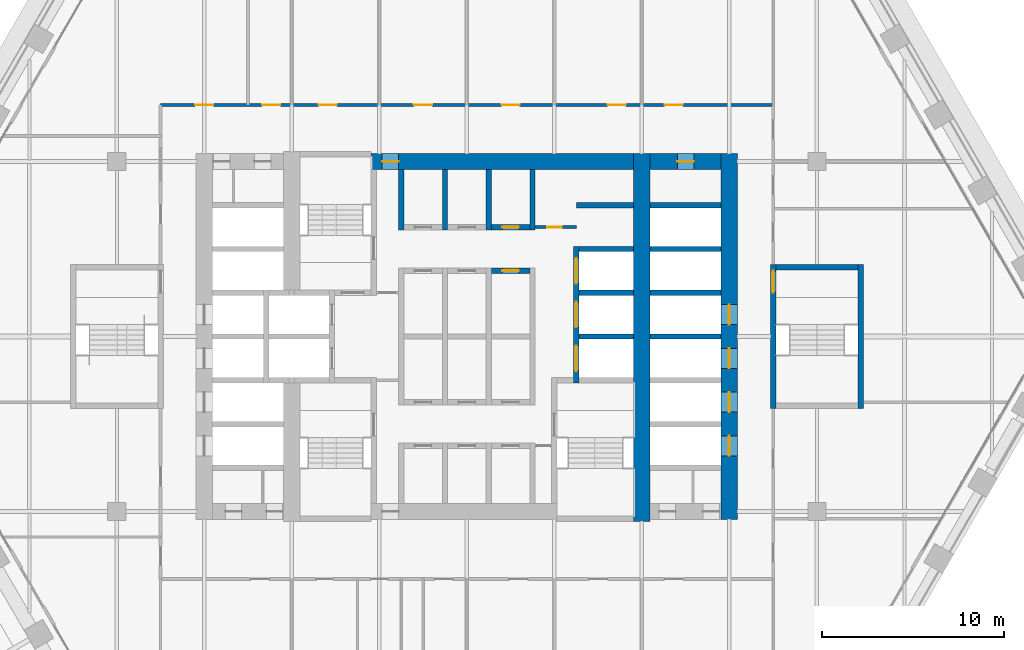
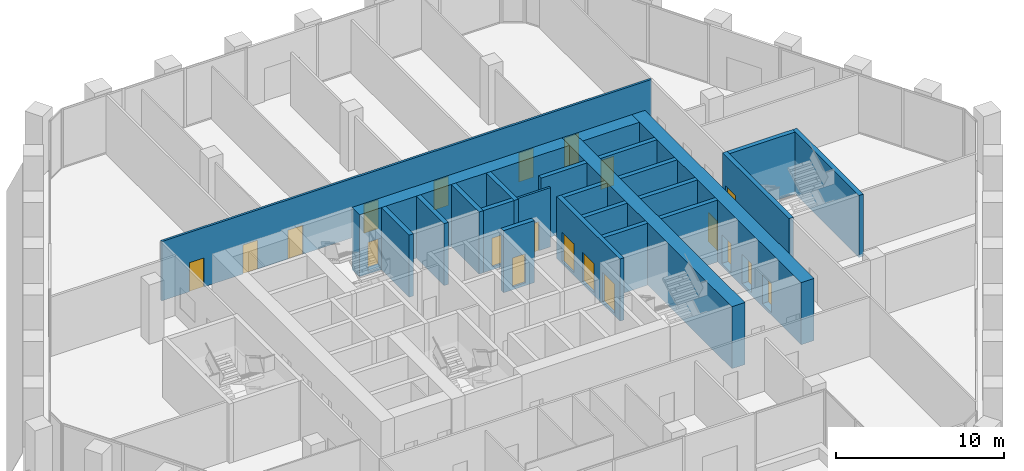
# One storey, part 19 of 27: 24 walls, 20 doors, 20 openings.
"""IFC4 building model written with IfcOpenShell, lengths in metres."""

from ifc_helpers import new_model, si_unit, direction, frame, frame_2d, origin, place, context, subcontext, project, spatial, rectangle, extrude, material, layer, layer_set, type_object, element, fill, save


model = new_model("IFC4")

# Units and contexts
model_context = context("Model", 3, precision=1e-05, world=origin(), true_north=direction((0.0, 1.0)))
body_context = subcontext(model_context, "Body", "Model", "MODEL_VIEW")
ifc_project = project(units=[si_unit("LENGTHUNIT", "METRE"), si_unit("AREAUNIT", "SQUARE_METRE"), si_unit("VOLUMEUNIT", "CUBIC_METRE"), si_unit("PLANEANGLEUNIT", "RADIAN"), si_unit("MASSUNIT", "GRAM", prefix="KILO")], contexts=[model_context])

# Site, building, storey
site_placement = place(None, origin())
site = spatial("IfcSite", under=ifc_project, at=site_placement, CompositionType="ELEMENT")
building_placement = place(site_placement, origin())
building = spatial("IfcBuilding", under=site, at=building_placement, Name="Kolab Exchange Tower", CompositionType="ELEMENT")
storey_placement = place(building_placement, frame((0.0, 0.0, 109.39990234375)))
storey = spatial("IfcBuildingStorey", under=building, at=storey_placement, Name="L21", CompositionType="ELEMENT", Elevation=109.39990234375)

# Wall, opening, door
ifc_material_1 = material(Name="Concrete C70/85", Category="concrete")
ifc_layer_1 = layer(ifc_material_1, 0.89990234375)
ifc_layer_set_1 = layer_set([ifc_layer_1], Name="Concrete C70/85")
wall_type_1 = type_object("IfcWallType", Name="CORE WALL 900 C70/85", PredefinedType="SHEAR", material=ifc_layer_set_1)
wall_1_placement = place(storey_placement, frame((-5.25, 9.60009765625, -0.199951171875), z_axis=(0.0, 0.0, 1.0), x_axis=(1.0, 0.0, 0.0)))
wall_1 = element("IfcWall", 1, at=wall_1_placement, inside=storey, type_object=wall_type_1, Name="wall/L21/core/052", PredefinedType="SHEAR", context=body_context, shape_type="SweptSolid", body=[
    extrude(rectangle(XDim=14.39990234375, YDim=0.89990234375, at=frame_2d((7.199951171875, 0.0))), origin(), (0.0, 0.0, 1.0), 4.5),
])
opening_1_placement = place(wall_1_placement, frame((0.60009765625, 0.0, 0.199951171875)))
opening_1 = element("IfcOpeningElement", 2, at=opening_1_placement, cuts=wall_1, Name="Opening D6-225", PredefinedType="OPENING", context=body_context, shape_type="SweptSolid", body=[
    extrude(rectangle(XDim=0.89990234375, YDim=2.10009765625, at=frame_2d((0.449951171875, 1.050048828125))), frame((0.0, 0.4599609375, 0.0), z_axis=(0.0, -1.0, 0.0), x_axis=(1.0, 0.0, 0.0)), (0.0, 0.0, 1.0), 0.919921875),
])
ifc_material_2 = material(Name="Steel S235", Category="steel")
door_type_1 = type_object("IfcDoorType", Name="CORE DOOR 900 EI 120", OperationType="SINGLE_SWING_LEFT", PredefinedType="DOOR", material=ifc_material_2)
door_1_placement = place(opening_1_placement, frame((0.89990234375, 0.0, 0.0), z_axis=(0.0, 0.0, 1.0), x_axis=(-1.0, 0.0, 0.0)))
door_1 = element("IfcDoor", 3, at=door_1_placement, inside=storey, type_object=door_type_1, Name="Core lobby door", OperationType="SINGLE_SWING_RIGHT", OverallHeight=2.10009765625, OverallWidth=0.89990234375, PredefinedType="DOOR", context=body_context, shape_type="SweptSolid", body=[
    extrude(rectangle(XDim=0.89990234375, YDim=2.10009765625, at=frame_2d((0.449951171875, 1.050048828125))), frame((0.0, 0.02490234375, 0.0), z_axis=(0.0, -1.0, 0.0), x_axis=(1.0, 0.0, 0.0)), (0.0, 0.0, 1.0), 0.050048828125),
])
fill(opening_1, door_1)

wall_2_placement = place(storey_placement, frame((10.050048828125, 9.60009765625, -0.199951171875), z_axis=(0.0, 0.0, 1.0), x_axis=(1.0, 0.0, 0.0)))
wall_2 = element("IfcWall", 4, at=wall_2_placement, inside=storey, type_object=wall_type_1, Name="wall/L21/core/053", PredefinedType="SHEAR", context=body_context, shape_type="SweptSolid", body=[
    extrude(rectangle(XDim=3.89990234375, YDim=0.89990234375, at=frame_2d((1.949951171875, 0.0))), origin(), (0.0, 0.0, 1.0), 4.5),
])
opening_2_placement = place(wall_2_placement, frame((1.5, 0.0, 0.199951171875)))
opening_2 = element("IfcOpeningElement", 5, at=opening_2_placement, cuts=wall_2, Name="Opening D6-212", PredefinedType="OPENING", context=body_context, shape_type="SweptSolid", body=[
    extrude(rectangle(XDim=0.89990234375, YDim=2.10009765625, at=frame_2d((0.449951171875, 1.050048828125))), frame((0.0, 0.4599609375, 0.0), z_axis=(0.0, -1.0, 0.0), x_axis=(1.0, 0.0, 0.0)), (0.0, 0.0, 1.0), 0.919921875),
])
door_2_placement = place(opening_2_placement, frame((0.89990234375, 0.0, 0.0), z_axis=(0.0, 0.0, 1.0), x_axis=(-1.0, 0.0, 0.0)))
door_2 = element("IfcDoor", 6, at=door_2_placement, inside=storey, type_object=door_type_1, Name="Service room door", OperationType="SINGLE_SWING_LEFT", OverallHeight=2.10009765625, OverallWidth=0.89990234375, PredefinedType="DOOR", context=body_context, shape_type="SweptSolid", body=[
    extrude(rectangle(XDim=0.89990234375, YDim=2.10009765625, at=frame_2d((0.449951171875, 1.050048828125))), frame((0.0, 0.02490234375, 0.0), z_axis=(0.0, -1.0, 0.0), x_axis=(1.0, 0.0, 0.0)), (0.0, 0.0, 1.0), 0.050048828125),
])
fill(opening_2, door_2)

# Wall
wall_3_placement = place(storey_placement, frame((9.60009765625, -10.14990234375, -0.199951171875), z_axis=(0.0, 0.0, 1.0), x_axis=(0.0, 1.0, 0.0)))
element("IfcWall", 7, at=wall_3_placement, inside=storey, type_object=wall_type_1, Name="wall/L21/core/080", PredefinedType="SHEAR", context=body_context, shape_type="SweptSolid", body=[
    extrude(rectangle(XDim=20.199951171875, YDim=0.89990234375, at=frame_2d((10.10009765625, 0.0))), origin(), (0.0, 0.0, 1.0), 4.5),
])

# Wall, openings, doors
wall_4_placement = place(storey_placement, frame((14.39990234375, -10.050048828125, -0.199951171875), z_axis=(0.0, 0.0, 1.0), x_axis=(0.0, 1.0, 0.0)))
wall_4 = element("IfcWall", 8, at=wall_4_placement, inside=storey, type_object=wall_type_1, Name="wall/L21/core/081", PredefinedType="SHEAR", context=body_context, shape_type="SweptSolid", body=[
    extrude(rectangle(XDim=20.10009765625, YDim=0.89990234375, at=frame_2d((10.050048828125, 0.0))), origin(), (0.0, 0.0, 1.0), 4.5),
])
opening_3_placement = place(wall_4_placement, frame((3.5, 0.0, 0.199951171875)))
opening_3 = element("IfcOpeningElement", 9, at=opening_3_placement, cuts=wall_4, Name="Opening LD1-069", PredefinedType="OPENING", context=body_context, shape_type="SweptSolid", body=[
    extrude(rectangle(XDim=1.10009765625, YDim=2.10009765625, at=frame_2d((0.550048828125, 1.050048828125))), frame((0.0, 0.4599609375, 0.0), z_axis=(0.0, -1.0, 0.0), x_axis=(1.0, 0.0, 0.0)), (0.0, 0.0, 1.0), 0.919921875),
])
opening_4_placement = place(wall_4_placement, frame((5.89990234375, 0.0, 0.199951171875)))
opening_4 = element("IfcOpeningElement", 10, at=opening_4_placement, cuts=wall_4, Name="Opening LD1-070", PredefinedType="OPENING", context=body_context, shape_type="SweptSolid", body=[
    extrude(rectangle(XDim=1.10009765625, YDim=2.10009765625, at=frame_2d((0.550048828125, 1.050048828125))), frame((0.0, 0.4599609375, 0.0), z_axis=(0.0, -1.0, 0.0), x_axis=(1.0, 0.0, 0.0)), (0.0, 0.0, 1.0), 0.919921875),
])
opening_5_placement = place(wall_4_placement, frame((8.300048828125, 0.0, 0.199951171875)))
opening_5 = element("IfcOpeningElement", 11, at=opening_5_placement, cuts=wall_4, Name="Opening LD1-071", PredefinedType="OPENING", context=body_context, shape_type="SweptSolid", body=[
    extrude(rectangle(XDim=1.10009765625, YDim=2.10009765625, at=frame_2d((0.550048828125, 1.050048828125))), frame((0.0, 0.4599609375, 0.0), z_axis=(0.0, -1.0, 0.0), x_axis=(1.0, 0.0, 0.0)), (0.0, 0.0, 1.0), 0.919921875),
])
opening_6_placement = place(wall_4_placement, frame((10.699951171875, 0.0, 0.199951171875)))
opening_6 = element("IfcOpeningElement", 12, at=opening_6_placement, cuts=wall_4, Name="Opening LD1-072", PredefinedType="OPENING", context=body_context, shape_type="SweptSolid", body=[
    extrude(rectangle(XDim=1.10009765625, YDim=2.10009765625, at=frame_2d((0.550048828125, 1.050048828125))), frame((0.0, 0.4599609375, 0.0), z_axis=(0.0, -1.0, 0.0), x_axis=(1.0, 0.0, 0.0)), (0.0, 0.0, 1.0), 0.919921875),
])
ifc_material_3 = material(Name="Stainless steel 316", Category="steel")
door_type_2 = type_object("IfcDoorType", Name="LANDING DOOR 1100 PASSENGER", OperationType="DOUBLE_DOOR_SLIDING", PredefinedType="DOOR", material=ifc_material_3)
door_3_placement = place(opening_3_placement, origin())
door_3 = element("IfcDoor", 13, at=door_3_placement, inside=storey, type_object=door_type_2, Name="Landing door LR1", OperationType="DOUBLE_DOOR_SLIDING", OverallHeight=2.10009765625, OverallWidth=1.10009765625, PredefinedType="DOOR", context=body_context, shape_type="SweptSolid", body=[
    extrude(rectangle(XDim=1.10009765625, YDim=2.10009765625, at=frame_2d((0.550048828125, 1.050048828125))), frame((0.0, 0.02490234375, 0.0), z_axis=(0.0, -1.0, 0.0), x_axis=(1.0, 0.0, 0.0)), (0.0, 0.0, 1.0), 0.050048828125),
])
fill(opening_3, door_3)
door_4_placement = place(opening_4_placement, origin())
door_4 = element("IfcDoor", 14, at=door_4_placement, inside=storey, type_object=door_type_2, Name="Landing door LR2", OperationType="DOUBLE_DOOR_SLIDING", OverallHeight=2.10009765625, OverallWidth=1.10009765625, PredefinedType="DOOR", context=body_context, shape_type="SweptSolid", body=[
    extrude(rectangle(XDim=1.10009765625, YDim=2.10009765625, at=frame_2d((0.550048828125, 1.050048828125))), frame((0.0, 0.02490234375, 0.0), z_axis=(0.0, -1.0, 0.0), x_axis=(1.0, 0.0, 0.0)), (0.0, 0.0, 1.0), 0.050048828125),
])
fill(opening_4, door_4)
door_5_placement = place(opening_5_placement, origin())
door_5 = element("IfcDoor", 15, at=door_5_placement, inside=storey, type_object=door_type_2, Name="Landing door LR3", OperationType="DOUBLE_DOOR_SLIDING", OverallHeight=2.10009765625, OverallWidth=1.10009765625, PredefinedType="DOOR", context=body_context, shape_type="SweptSolid", body=[
    extrude(rectangle(XDim=1.10009765625, YDim=2.10009765625, at=frame_2d((0.550048828125, 1.050048828125))), frame((0.0, 0.02490234375, 0.0), z_axis=(0.0, -1.0, 0.0), x_axis=(1.0, 0.0, 0.0)), (0.0, 0.0, 1.0), 0.050048828125),
])
fill(opening_5, door_5)
door_6_placement = place(opening_6_placement, origin())
door_6 = element("IfcDoor", 16, at=door_6_placement, inside=storey, type_object=door_type_2, Name="Landing door LR4", OperationType="DOUBLE_DOOR_SLIDING", OverallHeight=2.10009765625, OverallWidth=1.10009765625, PredefinedType="DOOR", context=body_context, shape_type="SweptSolid", body=[
    extrude(rectangle(XDim=1.10009765625, YDim=2.10009765625, at=frame_2d((0.550048828125, 1.050048828125))), frame((0.0, 0.02490234375, 0.0), z_axis=(0.0, -1.0, 0.0), x_axis=(1.0, 0.0, 0.0)), (0.0, 0.0, 1.0), 0.050048828125),
])
fill(opening_6, door_6)

# Walls
ifc_material_4 = material(Name="Concrete C50/60", Category="concrete")
ifc_layer_2 = layer(ifc_material_4, 0.300048828125)
ifc_layer_set_2 = layer_set([ifc_layer_2], Name="Concrete C50/60")
wall_type_2 = type_object("IfcWallType", Name="LIFT SHAFT WALL 300 C50/60", PredefinedType="STANDARD", material=ifc_layer_set_2)
wall_5_placement = place(storey_placement, frame((6.14990234375, 0.0, -0.199951171875), z_axis=(0.0, 0.0, 1.0), x_axis=(1.0, 0.0, 0.0)))
element("IfcWall", 17, at=wall_5_placement, inside=storey, type_object=wall_type_2, Name="wall/L21/core/029", PredefinedType="STANDARD", context=body_context, shape_type="SweptSolid", body=[
    extrude(rectangle(XDim=3.0, YDim=0.300048828125, at=frame_2d((1.5, 0.0))), origin(), (0.0, 0.0, 1.0), 4.5),
])
wall_6_placement = place(storey_placement, frame((10.050048828125, 0.0, -0.199951171875), z_axis=(0.0, 0.0, 1.0), x_axis=(1.0, 0.0, 0.0)))
element("IfcWall", 18, at=wall_6_placement, inside=storey, type_object=wall_type_2, Name="wall/L21/core/030", PredefinedType="STANDARD", context=body_context, shape_type="SweptSolid", body=[
    extrude(rectangle(XDim=3.89990234375, YDim=0.300048828125, at=frame_2d((1.949951171875, 0.0))), origin(), (0.0, 0.0, 1.0), 4.5),
])
wall_7_placement = place(storey_placement, frame((6.14990234375, 2.39990234375, -0.199951171875), z_axis=(0.0, 0.0, 1.0), x_axis=(1.0, 0.0, 0.0)))
element("IfcWall", 19, at=wall_7_placement, inside=storey, type_object=wall_type_2, Name="wall/L21/core/035", PredefinedType="STANDARD", context=body_context, shape_type="SweptSolid", body=[
    extrude(rectangle(XDim=3.0, YDim=0.300048828125, at=frame_2d((1.5, 0.0))), origin(), (0.0, 0.0, 1.0), 4.5),
])
wall_8_placement = place(storey_placement, frame((10.050048828125, 2.39990234375, -0.199951171875), z_axis=(0.0, 0.0, 1.0), x_axis=(1.0, 0.0, 0.0)))
element("IfcWall", 20, at=wall_8_placement, inside=storey, type_object=wall_type_2, Name="wall/L21/core/036", PredefinedType="STANDARD", context=body_context, shape_type="SweptSolid", body=[
    extrude(rectangle(XDim=3.89990234375, YDim=0.300048828125, at=frame_2d((1.949951171875, 0.0))), origin(), (0.0, 0.0, 1.0), 4.5),
])

# Wall, opening, door
wall_9_placement = place(storey_placement, frame((1.35009765625, 3.60009765625, -0.199951171875), z_axis=(0.0, 0.0, 1.0), x_axis=(1.0, 0.0, 0.0)))
wall_9 = element("IfcWall", 21, at=wall_9_placement, inside=storey, type_object=wall_type_2, Name="wall/L21/core/039", PredefinedType="STANDARD", context=body_context, shape_type="SweptSolid", body=[
    extrude(rectangle(XDim=2.099853515625, YDim=0.300048828125, at=frame_2d((1.0498046875, 0.0))), origin(), (0.0, 0.0, 1.0), 4.5),
])
opening_7_placement = place(wall_9_placement, frame((0.60009765625, 0.0, 0.199951171875)))
opening_7 = element("IfcOpeningElement", 22, at=opening_7_placement, cuts=wall_9, Name="Opening D6-194", PredefinedType="OPENING", context=body_context, shape_type="SweptSolid", body=[
    extrude(rectangle(XDim=0.89990234375, YDim=2.10009765625, at=frame_2d((0.449951171875, 1.050048828125))), frame((0.0, 0.16015625, 0.0), z_axis=(0.0, -1.0, 0.0), x_axis=(1.0, 0.0, 0.0)), (0.0, 0.0, 1.0), 0.320068359375),
])
door_7_placement = place(opening_7_placement, frame((0.89990234375, 0.0, 0.0), z_axis=(0.0, 0.0, 1.0), x_axis=(-1.0, 0.0, 0.0)))
door_7 = element("IfcDoor", 23, at=door_7_placement, inside=storey, type_object=door_type_1, Name="Service room door", OperationType="SINGLE_SWING_RIGHT", OverallHeight=2.10009765625, OverallWidth=0.89990234375, PredefinedType="DOOR", context=body_context, shape_type="SweptSolid", body=[
    extrude(rectangle(XDim=0.89990234375, YDim=2.10009765625, at=frame_2d((0.449951171875, 1.050048828125))), frame((0.0, 0.02490234375, 0.0), z_axis=(0.0, -1.0, 0.0), x_axis=(1.0, 0.0, 0.0)), (0.0, 0.0, 1.0), 0.050048828125),
])
fill(opening_7, door_7)

# Walls
wall_10_placement = place(storey_placement, frame((6.14990234375, 4.800048828125, -0.199951171875), z_axis=(0.0, 0.0, 1.0), x_axis=(1.0, 0.0, 0.0)))
element("IfcWall", 24, at=wall_10_placement, inside=storey, type_object=wall_type_2, Name="wall/L21/core/043", PredefinedType="STANDARD", context=body_context, shape_type="SweptSolid", body=[
    extrude(rectangle(XDim=3.0, YDim=0.300048828125, at=frame_2d((1.5, 0.0))), origin(), (0.0, 0.0, 1.0), 4.5),
])
wall_11_placement = place(storey_placement, frame((10.050048828125, 4.800048828125, -0.199951171875), z_axis=(0.0, 0.0, 1.0), x_axis=(1.0, 0.0, 0.0)))
element("IfcWall", 25, at=wall_11_placement, inside=storey, type_object=wall_type_2, Name="wall/L21/core/044", PredefinedType="STANDARD", context=body_context, shape_type="SweptSolid", body=[
    extrude(rectangle(XDim=3.89990234375, YDim=0.300048828125, at=frame_2d((1.949951171875, 0.0))), origin(), (0.0, 0.0, 1.0), 4.5),
])

# Wall, opening, door
wall_12_placement = place(storey_placement, frame((1.35009765625, 6.0, -0.199951171875), z_axis=(0.0, 0.0, 1.0), x_axis=(1.0, 0.0, 0.0)))
wall_12 = element("IfcWall", 26, at=wall_12_placement, inside=storey, type_object=wall_type_2, Name="wall/L21/core/047", PredefinedType="STANDARD", context=body_context, shape_type="SweptSolid", body=[
    extrude(rectangle(XDim=2.099853515625, YDim=0.300048828125, at=frame_2d((1.0498046875, 0.0))), origin(), (0.0, 0.0, 1.0), 4.5),
])
opening_8_placement = place(wall_12_placement, frame((0.60009765625, 0.0, 0.199951171875)))
opening_8 = element("IfcOpeningElement", 27, at=opening_8_placement, cuts=wall_12, Name="Opening D6-191", PredefinedType="OPENING", context=body_context, shape_type="SweptSolid", body=[
    extrude(rectangle(XDim=0.89990234375, YDim=2.10009765625, at=frame_2d((0.449951171875, 1.050048828125))), frame((0.0, 0.16015625, 0.0), z_axis=(0.0, -1.0, 0.0), x_axis=(1.0, 0.0, 0.0)), (0.0, 0.0, 1.0), 0.320068359375),
])
door_8_placement = place(opening_8_placement, origin())
door_8 = element("IfcDoor", 28, at=door_8_placement, inside=storey, type_object=door_type_1, Name="Service room door", OperationType="SINGLE_SWING_RIGHT", OverallHeight=2.10009765625, OverallWidth=0.89990234375, PredefinedType="DOOR", context=body_context, shape_type="SweptSolid", body=[
    extrude(rectangle(XDim=0.89990234375, YDim=2.10009765625, at=frame_2d((0.449951171875, 1.050048828125))), frame((0.0, 0.02490234375, 0.0), z_axis=(0.0, -1.0, 0.0), x_axis=(1.0, 0.0, 0.0)), (0.0, 0.0, 1.0), 0.050048828125),
])
fill(opening_8, door_8)

# Walls
wall_13_placement = place(storey_placement, frame((6.0, 7.199951171875, -0.199951171875), z_axis=(0.0, 0.0, 1.0), x_axis=(1.0, 0.0, 0.0)))
element("IfcWall", 29, at=wall_13_placement, inside=storey, type_object=wall_type_2, Name="wall/L21/core/049", PredefinedType="STANDARD", context=body_context, shape_type="SweptSolid", body=[
    extrude(rectangle(XDim=3.14990234375, YDim=0.300048828125, at=frame_2d((1.574951171875, 0.0))), origin(), (0.0, 0.0, 1.0), 4.5),
])
wall_14_placement = place(storey_placement, frame((10.050048828125, 7.199951171875, -0.199951171875), z_axis=(0.0, 0.0, 1.0), x_axis=(1.0, 0.0, 0.0)))
element("IfcWall", 30, at=wall_14_placement, inside=storey, type_object=wall_type_2, Name="wall/L21/core/050", PredefinedType="STANDARD", context=body_context, shape_type="SweptSolid", body=[
    extrude(rectangle(XDim=3.89990234375, YDim=0.300048828125, at=frame_2d((1.949951171875, 0.0))), origin(), (0.0, 0.0, 1.0), 4.5),
])
for number, where, z_axis, x_axis, name in (
    (31, (-3.60009765625, 5.85009765625, -0.199951171875), (0.0, 0.0, 1.0), (0.0, 1.0, 0.0), "wall/L21/core/068"),
    (32, (-1.199951171875, 5.85009765625, -0.199951171875), (0.0, 0.0, 1.0), (0.0, 1.0, 0.0), "wall/L21/core/071"),
    (33, (1.199951171875, 5.85009765625, -0.199951171875), (0.0, 0.0, 1.0), (0.0, 1.0, 0.0), "wall/L21/core/074"),
    (34, (3.60009765625, 5.85009765625, -0.199951171875), (0.0, 0.0, 1.0), (0.0, 1.0, 0.0), "wall/L21/core/077"),
):
    element("IfcWall", number, at=place(storey_placement, frame(where, z_axis=z_axis, x_axis=x_axis)), inside=storey, type_object=wall_type_2, Name=name, PredefinedType="STANDARD", context=body_context, shape_type="SweptSolid", body=[
        extrude(rectangle(XDim=3.2998046875, YDim=0.300048828125, at=frame_2d((1.64990234375, 0.0))), origin(), (0.0, 0.0, 1.0), 4.5),
    ])

# Wall, openings, doors
wall_15_placement = place(storey_placement, frame((6.0, -2.550048828125, -0.199951171875), z_axis=(0.0, 0.0, 1.0), x_axis=(0.0, 1.0, 0.0)))
wall_15 = element("IfcWall", 35, at=wall_15_placement, inside=storey, type_object=wall_type_2, Name="wall/L21/core/079", PredefinedType="STANDARD", context=body_context, shape_type="SweptSolid", body=[
    extrude(rectangle(XDim=7.5, YDim=0.300048828125, at=frame_2d((3.75, 0.0))), origin(), (0.0, 0.0, 1.0), 4.5),
])
opening_9_placement = place(wall_15_placement, frame((0.64990234375, 0.0, 0.199951171875)))
opening_9 = element("IfcOpeningElement", 36, at=opening_9_placement, cuts=wall_15, Name="Opening LD3-025", PredefinedType="OPENING", context=body_context, shape_type="SweptSolid", body=[
    extrude(rectangle(XDim=1.39990234375, YDim=2.10009765625, at=frame_2d((0.699951171875, 1.050048828125))), frame((0.0, 0.16015625, 0.0), z_axis=(0.0, -1.0, 0.0), x_axis=(1.0, 0.0, 0.0)), (0.0, 0.0, 1.0), 0.320068359375),
])
opening_10_placement = place(wall_15_placement, frame((3.050048828125, 0.0, 0.199951171875)))
opening_10 = element("IfcOpeningElement", 37, at=opening_10_placement, cuts=wall_15, Name="Opening LD3-026", PredefinedType="OPENING", context=body_context, shape_type="SweptSolid", body=[
    extrude(rectangle(XDim=1.39990234375, YDim=2.10009765625, at=frame_2d((0.699951171875, 1.050048828125))), frame((0.0, 0.16015625, 0.0), z_axis=(0.0, -1.0, 0.0), x_axis=(1.0, 0.0, 0.0)), (0.0, 0.0, 1.0), 0.320068359375),
])
opening_11_placement = place(wall_15_placement, frame((5.449951171875, 0.0, 0.199951171875)))
opening_11 = element("IfcOpeningElement", 38, at=opening_11_placement, cuts=wall_15, Name="Opening LD3-027", PredefinedType="OPENING", context=body_context, shape_type="SweptSolid", body=[
    extrude(rectangle(XDim=1.39990234375, YDim=2.10009765625, at=frame_2d((0.699951171875, 1.050048828125))), frame((0.0, 0.16015625, 0.0), z_axis=(0.0, -1.0, 0.0), x_axis=(1.0, 0.0, 0.0)), (0.0, 0.0, 1.0), 0.320068359375),
])
door_type_3 = type_object("IfcDoorType", Name="LANDING DOOR 1400 SERVICE", OperationType="DOUBLE_DOOR_SLIDING", PredefinedType="DOOR", material=ifc_material_3)
door_9_placement = place(opening_9_placement, origin())
door_9 = element("IfcDoor", 39, at=door_9_placement, inside=storey, type_object=door_type_3, Name="Landing door SV1", OperationType="DOUBLE_DOOR_SLIDING", OverallHeight=2.10009765625, OverallWidth=1.39990234375, PredefinedType="DOOR", context=body_context, shape_type="SweptSolid", body=[
    extrude(rectangle(XDim=1.39990234375, YDim=2.10009765625, at=frame_2d((0.699951171875, 1.050048828125))), frame((0.0, 0.02490234375, 0.0), z_axis=(0.0, -1.0, 0.0), x_axis=(1.0, 0.0, 0.0)), (0.0, 0.0, 1.0), 0.050048828125),
])
fill(opening_9, door_9)
door_10_placement = place(opening_10_placement, origin())
door_10 = element("IfcDoor", 40, at=door_10_placement, inside=storey, type_object=door_type_3, Name="Landing door SV2", OperationType="DOUBLE_DOOR_SLIDING", OverallHeight=2.10009765625, OverallWidth=1.39990234375, PredefinedType="DOOR", context=body_context, shape_type="SweptSolid", body=[
    extrude(rectangle(XDim=1.39990234375, YDim=2.10009765625, at=frame_2d((0.699951171875, 1.050048828125))), frame((0.0, 0.02490234375, 0.0), z_axis=(0.0, -1.0, 0.0), x_axis=(1.0, 0.0, 0.0)), (0.0, 0.0, 1.0), 0.050048828125),
])
fill(opening_10, door_10)
door_11_placement = place(opening_11_placement, origin())
door_11 = element("IfcDoor", 41, at=door_11_placement, inside=storey, type_object=door_type_3, Name="Landing door SV3", OperationType="DOUBLE_DOOR_SLIDING", OverallHeight=2.10009765625, OverallWidth=1.39990234375, PredefinedType="DOOR", context=body_context, shape_type="SweptSolid", body=[
    extrude(rectangle(XDim=1.39990234375, YDim=2.10009765625, at=frame_2d((0.699951171875, 1.050048828125))), frame((0.0, 0.02490234375, 0.0), z_axis=(0.0, -1.0, 0.0), x_axis=(1.0, 0.0, 0.0)), (0.0, 0.0, 1.0), 0.050048828125),
])
fill(opening_11, door_11)

# Wall, opening, door
ifc_material_5 = material(Name="Gypsum board", Category="gypsum")
ifc_layer_3 = layer(ifc_material_5, 0.14990234375)
ifc_layer_set_3 = layer_set([ifc_layer_3], Name="Gypsum board")
wall_type_3 = type_object("IfcWallType", Name="PARTITION 150 FIRE-RATED", PredefinedType="PARTITIONING", material=ifc_layer_set_3)
wall_16_placement = place(storey_placement, frame((3.75, 6.0, 0.0), z_axis=(0.0, 0.0, 1.0), x_axis=(1.0, 0.0, 0.0)))
wall_16 = element("IfcWall", 42, at=wall_16_placement, inside=storey, type_object=wall_type_3, Name="Partition 036", PredefinedType="PARTITIONING", context=body_context, shape_type="SweptSolid", body=[
    extrude(rectangle(XDim=2.25, YDim=0.14990234375, at=frame_2d((1.125, 0.0))), origin(), (0.0, 0.0, 1.0), 4.300048828125),
])
opening_12_placement = place(wall_16_placement, frame((0.64990234375, 0.0, 0.0)))
opening_12 = element("IfcOpeningElement", 43, at=opening_12_placement, cuts=wall_16, Name="Opening D7-023", PredefinedType="OPENING", context=body_context, shape_type="SweptSolid", body=[
    extrude(rectangle(XDim=0.800048828125, YDim=2.10009765625, at=frame_2d((0.39990234375, 1.050048828125))), frame((0.0, 0.0849609375, 0.0), z_axis=(0.0, -1.0, 0.0), x_axis=(1.0, 0.0, 0.0)), (0.0, 0.0, 1.0), 0.169921875),
])
door_type_4 = type_object("IfcDoorType", Name="FLUSH DOOR 800 FD60", OperationType="SINGLE_SWING_LEFT", PredefinedType="DOOR", material=ifc_material_2)
door_12_placement = place(opening_12_placement, origin())
door_12 = element("IfcDoor", 44, at=door_12_placement, inside=storey, type_object=door_type_4, Name="Door L21-040", OperationType="SINGLE_SWING_LEFT", OverallHeight=2.10009765625, OverallWidth=0.800048828125, PredefinedType="DOOR", context=body_context, shape_type="SweptSolid", body=[
    extrude(rectangle(XDim=0.800048828125, YDim=2.10009765625, at=frame_2d((0.39990234375, 1.050048828125))), frame((0.0, 0.02490234375, 0.0), z_axis=(0.0, -1.0, 0.0), x_axis=(1.0, 0.0, 0.0)), (0.0, 0.0, 1.0), 0.050048828125),
])
fill(opening_12, door_12)

# Wall, openings, doors
wall_17_placement = place(storey_placement, frame((-16.800048828125, 12.699951171875, 0.0), z_axis=(0.0, 0.0, 1.0), x_axis=(1.0, 0.0, 0.0)))
wall_17 = element("IfcWall", 45, at=wall_17_placement, inside=storey, type_object=wall_type_3, Name="Partition 041", PredefinedType="PARTITIONING", context=body_context, shape_type="SweptSolid", body=[
    extrude(rectangle(XDim=33.60009765625, YDim=0.14990234375, at=frame_2d((16.800048828125, 0.0))), origin(), (0.0, 0.0, 1.0), 4.300048828125),
])
opening_13_placement = place(wall_17_placement, frame((1.89990234375, 0.0, 0.0)))
opening_13 = element("IfcOpeningElement", 46, at=opening_13_placement, cuts=wall_17, Name="Opening D1-282", PredefinedType="OPENING", context=body_context, shape_type="SweptSolid", body=[
    extrude(rectangle(XDim=1.0, YDim=2.10009765625, at=frame_2d((0.5, 1.050048828125))), frame((0.0, 0.0849609375, 0.0), z_axis=(0.0, -1.0, 0.0), x_axis=(1.0, 0.0, 0.0)), (0.0, 0.0, 1.0), 0.169921875),
])
opening_14_placement = place(wall_17_placement, frame((5.574951171875, 0.0, 0.0)))
opening_14 = element("IfcOpeningElement", 47, at=opening_14_placement, cuts=wall_17, Name="Opening D1-283", PredefinedType="OPENING", context=body_context, shape_type="SweptSolid", body=[
    extrude(rectangle(XDim=1.0, YDim=2.10009765625, at=frame_2d((0.5, 1.050048828125))), frame((0.0, 0.0849609375, 0.0), z_axis=(0.0, -1.0, 0.0), x_axis=(1.0, 0.0, 0.0)), (0.0, 0.0, 1.0), 0.169921875),
])
opening_15_placement = place(wall_17_placement, frame((8.6650390625, 0.0, 0.0)))
opening_15 = element("IfcOpeningElement", 48, at=opening_15_placement, cuts=wall_17, Name="Opening D1-284", PredefinedType="OPENING", context=body_context, shape_type="SweptSolid", body=[
    extrude(rectangle(XDim=1.0, YDim=2.10009765625, at=frame_2d((0.5, 1.050048828125))), frame((0.0, 0.0849609375, 0.0), z_axis=(0.0, -1.0, 0.0), x_axis=(1.0, 0.0, 0.0)), (0.0, 0.0, 1.0), 0.169921875),
])
opening_16_placement = place(wall_17_placement, frame((13.89990234375, 0.0, 0.0)))
opening_16 = element("IfcOpeningElement", 49, at=opening_16_placement, cuts=wall_17, Name="Opening D1-285", PredefinedType="OPENING", context=body_context, shape_type="SweptSolid", body=[
    extrude(rectangle(XDim=1.0, YDim=2.10009765625, at=frame_2d((0.5, 1.050048828125))), frame((0.0, 0.0849609375, 0.0), z_axis=(0.0, -1.0, 0.0), x_axis=(1.0, 0.0, 0.0)), (0.0, 0.0, 1.0), 0.169921875),
])
opening_17_placement = place(wall_17_placement, frame((18.699951171875, 0.0, 0.0)))
opening_17 = element("IfcOpeningElement", 50, at=opening_17_placement, cuts=wall_17, Name="Opening D1-241", PredefinedType="OPENING", context=body_context, shape_type="SweptSolid", body=[
    extrude(rectangle(XDim=1.0, YDim=2.10009765625, at=frame_2d((0.5, 1.050048828125))), frame((0.0, 0.0849609375, 0.0), z_axis=(0.0, -1.0, 0.0), x_axis=(1.0, 0.0, 0.0)), (0.0, 0.0, 1.0), 0.169921875),
])
opening_18_placement = place(wall_17_placement, frame((24.514892578125, 0.0, 0.0)))
opening_18 = element("IfcOpeningElement", 51, at=opening_18_placement, cuts=wall_17, Name="Opening D1-286", PredefinedType="OPENING", context=body_context, shape_type="SweptSolid", body=[
    extrude(rectangle(XDim=1.0, YDim=2.10009765625, at=frame_2d((0.5, 1.050048828125))), frame((0.0, 0.0849609375, 0.0), z_axis=(0.0, -1.0, 0.0), x_axis=(1.0, 0.0, 0.0)), (0.0, 0.0, 1.0), 0.169921875),
])
opening_19_placement = place(wall_17_placement, frame((27.64501953125, 0.0, 0.0)))
opening_19 = element("IfcOpeningElement", 52, at=opening_19_placement, cuts=wall_17, Name="Opening D1-287", PredefinedType="OPENING", context=body_context, shape_type="SweptSolid", body=[
    extrude(rectangle(XDim=1.0, YDim=2.10009765625, at=frame_2d((0.5, 1.050048828125))), frame((0.0, 0.0849609375, 0.0), z_axis=(0.0, -1.0, 0.0), x_axis=(1.0, 0.0, 0.0)), (0.0, 0.0, 1.0), 0.169921875),
])
door_type_5 = type_object("IfcDoorType", Name="FLUSH DOOR 1000 FD60", OperationType="SINGLE_SWING_LEFT", PredefinedType="DOOR", material=ifc_material_2)
door_13_placement = place(opening_13_placement, origin())
door_13 = element("IfcDoor", 53, at=door_13_placement, inside=storey, type_object=door_type_5, Name="Door L21-048", OperationType="SINGLE_SWING_RIGHT", OverallHeight=2.10009765625, OverallWidth=1.0, PredefinedType="DOOR", context=body_context, shape_type="SweptSolid", body=[
    extrude(rectangle(XDim=1.0, YDim=2.10009765625, at=frame_2d((0.5, 1.050048828125))), frame((0.0, 0.02490234375, 0.0), z_axis=(0.0, -1.0, 0.0), x_axis=(1.0, 0.0, 0.0)), (0.0, 0.0, 1.0), 0.050048828125),
])
fill(opening_13, door_13)
door_14_placement = place(opening_14_placement, origin())
door_14 = element("IfcDoor", 54, at=door_14_placement, inside=storey, type_object=door_type_5, Name="Door L21-049", OperationType="SINGLE_SWING_RIGHT", OverallHeight=2.10009765625, OverallWidth=1.0, PredefinedType="DOOR", context=body_context, shape_type="SweptSolid", body=[
    extrude(rectangle(XDim=1.0, YDim=2.10009765625, at=frame_2d((0.5, 1.050048828125))), frame((0.0, 0.02490234375, 0.0), z_axis=(0.0, -1.0, 0.0), x_axis=(1.0, 0.0, 0.0)), (0.0, 0.0, 1.0), 0.050048828125),
])
fill(opening_14, door_14)
door_15_placement = place(opening_15_placement, origin())
door_15 = element("IfcDoor", 55, at=door_15_placement, inside=storey, type_object=door_type_5, Name="Door L21-050", OperationType="SINGLE_SWING_LEFT", OverallHeight=2.10009765625, OverallWidth=1.0, PredefinedType="DOOR", context=body_context, shape_type="SweptSolid", body=[
    extrude(rectangle(XDim=1.0, YDim=2.10009765625, at=frame_2d((0.5, 1.050048828125))), frame((0.0, 0.02490234375, 0.0), z_axis=(0.0, -1.0, 0.0), x_axis=(1.0, 0.0, 0.0)), (0.0, 0.0, 1.0), 0.050048828125),
])
fill(opening_15, door_15)
door_16_placement = place(opening_16_placement, origin())
door_16 = element("IfcDoor", 56, at=door_16_placement, inside=storey, type_object=door_type_5, Name="Door L21-051", OperationType="SINGLE_SWING_LEFT", OverallHeight=2.10009765625, OverallWidth=1.0, PredefinedType="DOOR", context=body_context, shape_type="SweptSolid", body=[
    extrude(rectangle(XDim=1.0, YDim=2.10009765625, at=frame_2d((0.5, 1.050048828125))), frame((0.0, 0.02490234375, 0.0), z_axis=(0.0, -1.0, 0.0), x_axis=(1.0, 0.0, 0.0)), (0.0, 0.0, 1.0), 0.050048828125),
])
fill(opening_16, door_16)
door_17_placement = place(opening_17_placement, origin())
door_17 = element("IfcDoor", 57, at=door_17_placement, inside=storey, type_object=door_type_5, Name="Door L21-052", OperationType="SINGLE_SWING_LEFT", OverallHeight=2.10009765625, OverallWidth=1.0, PredefinedType="DOOR", context=body_context, shape_type="SweptSolid", body=[
    extrude(rectangle(XDim=1.0, YDim=2.10009765625, at=frame_2d((0.5, 1.050048828125))), frame((0.0, 0.02490234375, 0.0), z_axis=(0.0, -1.0, 0.0), x_axis=(1.0, 0.0, 0.0)), (0.0, 0.0, 1.0), 0.050048828125),
])
fill(opening_17, door_17)
door_18_placement = place(opening_18_placement, origin())
door_18 = element("IfcDoor", 58, at=door_18_placement, inside=storey, type_object=door_type_5, Name="Door L21-053", OperationType="SINGLE_SWING_RIGHT", OverallHeight=2.10009765625, OverallWidth=1.0, PredefinedType="DOOR", context=body_context, shape_type="SweptSolid", body=[
    extrude(rectangle(XDim=1.0, YDim=2.10009765625, at=frame_2d((0.5, 1.050048828125))), frame((0.0, 0.02490234375, 0.0), z_axis=(0.0, -1.0, 0.0), x_axis=(1.0, 0.0, 0.0)), (0.0, 0.0, 1.0), 0.050048828125),
])
fill(opening_18, door_18)
door_19_placement = place(opening_19_placement, origin())
door_19 = element("IfcDoor", 59, at=door_19_placement, inside=storey, type_object=door_type_5, Name="Door L21-054", OperationType="SINGLE_SWING_LEFT", OverallHeight=2.10009765625, OverallWidth=1.0, PredefinedType="DOOR", context=body_context, shape_type="SweptSolid", body=[
    extrude(rectangle(XDim=1.0, YDim=2.10009765625, at=frame_2d((0.5, 1.050048828125))), frame((0.0, 0.02490234375, 0.0), z_axis=(0.0, -1.0, 0.0), x_axis=(1.0, 0.0, 0.0)), (0.0, 0.0, 1.0), 0.050048828125),
])
fill(opening_19, door_19)

# Wall
ifc_layer_4 = layer(ifc_material_4, 0.300048828125)
ifc_layer_set_4 = layer_set([ifc_layer_4], Name="Concrete C50/60")
wall_type_4 = type_object("IfcWallType", Name="STAIR ENCLOSURE WALL 300 C50/60", PredefinedType="STANDARD", material=ifc_layer_set_4)
wall_18_placement = place(storey_placement, frame((16.949951171875, 3.800048828125, -0.199951171875), z_axis=(0.0, 0.0, 1.0), x_axis=(1.0, 0.0, 0.0)))
element("IfcWall", 60, at=wall_18_placement, inside=storey, type_object=wall_type_4, Name="wall/L21/core/041", PredefinedType="STANDARD", context=body_context, shape_type="SweptSolid", body=[
    extrude(rectangle(XDim=4.5, YDim=0.300048828125, at=frame_2d((2.25, 0.0))), origin(), (0.0, 0.0, 1.0), 4.5),
])

# Wall, opening, door
wall_19_placement = place(storey_placement, frame((16.800048828125, -3.949951171875, -0.199951171875), z_axis=(0.0, 0.0, 1.0), x_axis=(0.0, 1.0, 0.0)))
wall_19 = element("IfcWall", 61, at=wall_19_placement, inside=storey, type_object=wall_type_4, Name="wall/L21/core/082", PredefinedType="STANDARD", context=body_context, shape_type="SweptSolid", body=[
    extrude(rectangle(XDim=7.89990234375, YDim=0.300048828125, at=frame_2d((3.949951171875, 0.0))), origin(), (0.0, 0.0, 1.0), 4.5),
])
opening_20_placement = place(wall_19_placement, frame((6.35009765625, 0.0, 0.199951171875)))
opening_20 = element("IfcOpeningElement", 62, at=opening_20_placement, cuts=wall_19, Name="Opening D4-047", PredefinedType="OPENING", context=body_context, shape_type="SweptSolid", body=[
    extrude(rectangle(XDim=1.199951171875, YDim=2.10009765625, at=frame_2d((0.60009765625, 1.050048828125))), frame((0.0, 0.16015625, 0.0), z_axis=(0.0, -1.0, 0.0), x_axis=(1.0, 0.0, 0.0)), (0.0, 0.0, 1.0), 0.320068359375),
])
door_type_6 = type_object("IfcDoorType", Name="STAIR DOOR 1200 EI 120", OperationType="SINGLE_SWING_LEFT", PredefinedType="DOOR", material=ifc_material_2)
door_20_placement = place(opening_20_placement, frame((1.199951171875, 0.0, 0.0), z_axis=(0.0, 0.0, 1.0), x_axis=(-1.0, 0.0, 0.0)))
door_20 = element("IfcDoor", 63, at=door_20_placement, inside=storey, type_object=door_type_6, Name="Stair 4 door", OperationType="SINGLE_SWING_RIGHT", OverallHeight=2.10009765625, OverallWidth=1.199951171875, PredefinedType="DOOR", context=body_context, shape_type="SweptSolid", body=[
    extrude(rectangle(XDim=1.199951171875, YDim=2.10009765625, at=frame_2d((0.60009765625, 1.050048828125))), frame((0.0, 0.02490234375, 0.0), z_axis=(0.0, -1.0, 0.0), x_axis=(1.0, 0.0, 0.0)), (0.0, 0.0, 1.0), 0.050048828125),
])
fill(opening_20, door_20)

# Wall
wall_20_placement = place(storey_placement, frame((21.60009765625, -3.949951171875, -0.199951171875), z_axis=(0.0, 0.0, 1.0), x_axis=(0.0, 1.0, 0.0)))
element("IfcWall", 64, at=wall_20_placement, inside=storey, type_object=wall_type_4, Name="wall/L21/core/083", PredefinedType="STANDARD", context=body_context, shape_type="SweptSolid", body=[
    extrude(rectangle(XDim=7.89990234375, YDim=0.300048828125, at=frame_2d((3.949951171875, 0.0))), origin(), (0.0, 0.0, 1.0), 4.5),
])

save(model, "model.ifc")
